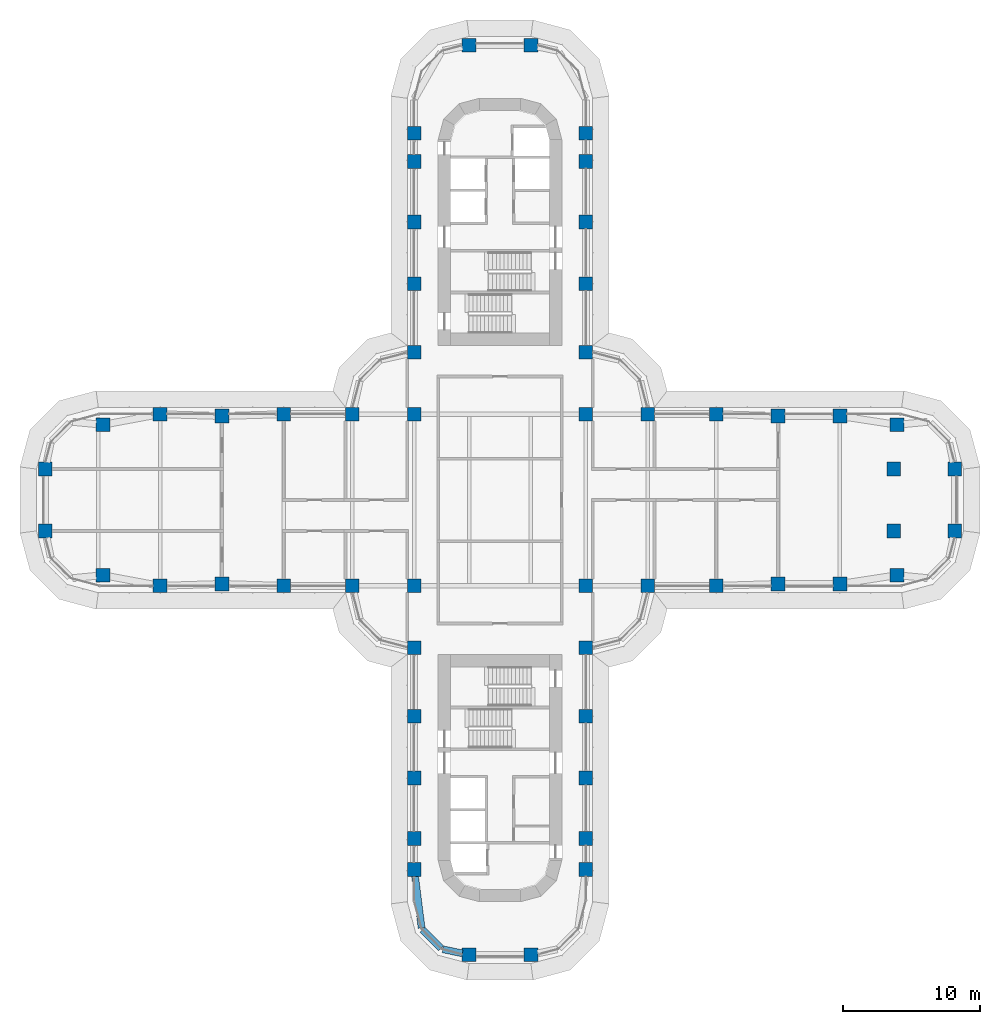
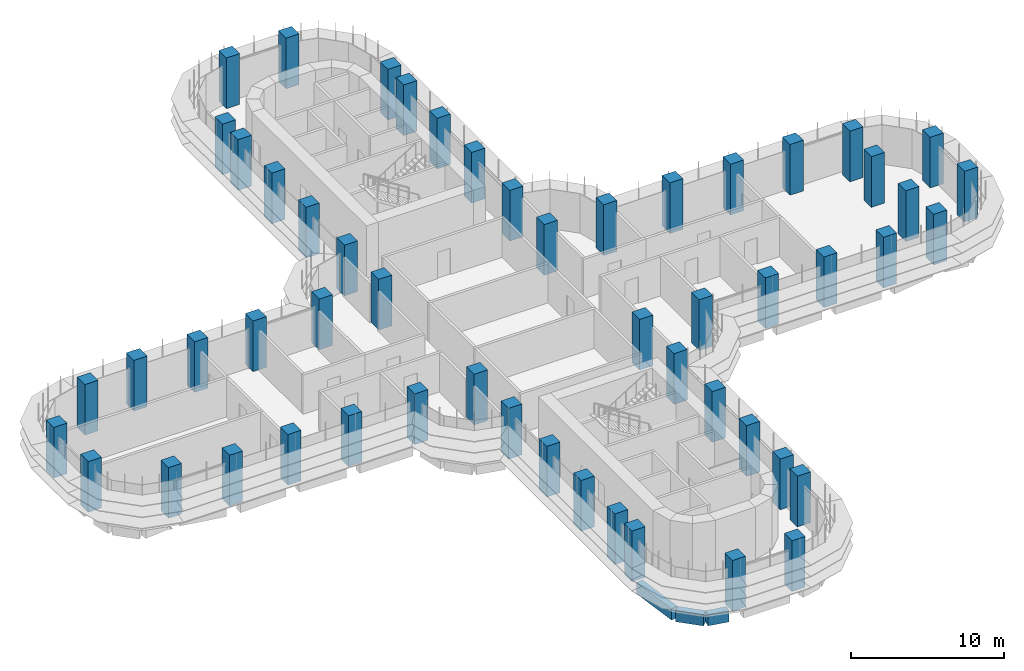
# One storey, part 1 of 23: 54 columns, 3 beams.
"""IFC4 building model written with IfcOpenShell, lengths in metres."""

import ifcopenshell
import ifcopenshell.guid

model = None  # the IFC model being written
_history = None  # IfcOwnerHistory: only IFC2X3 demands one
_inside = {}  # id of a spatial element -> (the spatial element, [elements in it])
_under = {}  # id of a project, library or spatial element -> (it, [spatial elements below it])
_declared = {}  # id of a project -> (the project, [libraries it declares])
_typed = {}  # id of a type object -> (the type object, [elements of that type])
_made_of = {}  # id of a material, layer set ... -> (it, [elements and type objects made of it])


def new_model(schema):
    """Start an empty IFC model of exactly this schema.

    Asked for "IFC4X3", IfcOpenShell would pick the latest addendum, in which some entities
    have other attributes; the version numbers below select the first issue.
    IFC2X3 requires an IfcOwnerHistory on every rooted entity: one is made here for all.
    """
    global model, _history
    if schema == "IFC4X3":
        model = ifcopenshell.file(schema_version=(4, 3, 0, 0))
    else:
        model = ifcopenshell.file(schema=schema)
    _inside.clear()
    _under.clear()
    _declared.clear()
    _typed.clear()
    _made_of.clear()
    _history = None
    if model.schema == "IFC2X3":
        org = make("IfcOrganization", Name="unknown")
        user = make(
            "IfcPersonAndOrganization",
            ThePerson=make("IfcPerson", FamilyName="unknown"),
            TheOrganization=org,
        )
        app = make(
            "IfcApplication",
            ApplicationDeveloper=org,
            Version="unknown",
            ApplicationFullName="unknown",
            ApplicationIdentifier="unknown",
        )
        _history = make(
            "IfcOwnerHistory",
            OwningUser=user,
            OwningApplication=app,
            ChangeAction="ADDED",
            CreationDate=0,
        )
    return model


def make(cls, **values):
    """One entity of the class cls with the attributes given. An attribute that is None is left unset."""
    return model.create_entity(
        cls, **{name: value for name, value in values.items() if value is not None}
    )


def rooted(cls, **values):
    """An entity with a GlobalId (a new one), such as an element, a storey or a relation."""
    return make(cls, GlobalId=ifcopenshell.guid.new(), OwnerHistory=_history, **values)


def si_unit(unit_type, name, prefix=None):
    """IfcSIUnit, for example si_unit("LENGTHUNIT", "METRE", prefix="MILLI")."""
    return make("IfcSIUnit", UnitType=unit_type, Prefix=prefix, Name=name)


def assignment(units):
    """IfcUnitAssignment: the units of a project."""
    return None if units is None else make("IfcUnitAssignment", Units=units)


def point(xyz):
    """IfcCartesianPoint."""
    return None if xyz is None else make("IfcCartesianPoint", Coordinates=xyz)


def direction(xyz):
    """IfcDirection."""
    return None if xyz is None else make("IfcDirection", DirectionRatios=xyz)


def frame(location, z_axis=None, x_axis=None):
    """IfcAxis2Placement3D, a coordinate frame: its origin and axes. An axis left out is left unset."""
    return make(
        "IfcAxis2Placement3D",
        Location=point(location),
        Axis=direction(z_axis),
        RefDirection=direction(x_axis),
    )


def frame_2d(location, x_axis=None):
    """IfcAxis2Placement2D, a coordinate frame in the plane: its origin and x axis."""
    return make(
        "IfcAxis2Placement2D", Location=point(location), RefDirection=direction(x_axis)
    )


def origin():
    """The frame at (0, 0, 0) with its axes left unset."""
    return frame((0.0, 0.0, 0.0))


def origin_2d():
    """The frame at (0, 0) in the plane with its x axis left unset."""
    return frame_2d((0.0, 0.0))


def place(relative_to, where):
    """IfcLocalPlacement: puts the frame where relative to a parent placement (None: the world)."""
    return make(
        "IfcLocalPlacement", PlacementRelTo=relative_to, RelativePlacement=where
    )


def context(
    kind, dimensions, precision=None, world=None, true_north=None, identifier=None
):
    """IfcGeometricRepresentationContext, for example the 3D "Model" context."""
    return make(
        "IfcGeometricRepresentationContext",
        ContextIdentifier=identifier,
        ContextType=kind,
        CoordinateSpaceDimension=dimensions,
        Precision=precision,
        WorldCoordinateSystem=world,
        TrueNorth=true_north,
    )


def subcontext(parent, identifier, kind, view, scale=None):
    """IfcGeometricRepresentationSubContext, for example "Body" below "Model"."""
    return make(
        "IfcGeometricRepresentationSubContext",
        ContextIdentifier=identifier,
        ContextType=kind,
        ParentContext=parent,
        TargetScale=scale,
        TargetView=view,
    )


def project(units=None, contexts=None):
    """IfcProject with its units and contexts."""
    return rooted(
        "IfcProject",
        Name="project",
        RepresentationContexts=contexts,
        UnitsInContext=assignment(units),
    )


def spatial(cls, under=None, at=None, **own):
    """A site, building, storey or space (cls), placed at a placement, below another one or the project."""
    s = rooted(cls, ObjectPlacement=at, **own)
    if under is not None:
        _under.setdefault(under.id(), (under, []))[1].append(s)
    return s


def profile(cls, at=None, kind="AREA", **sizes):
    """A parametric profile (cls). Its sizes go by their IFC names, for example OverallWidth=200.0."""
    return make(cls, ProfileType=kind, Position=at, **sizes)


def rectangle(**sizes):
    """IfcRectangleProfileDef."""
    return profile("IfcRectangleProfileDef", **sizes)


def extrude(swept, where, along, depth):
    """IfcExtrudedAreaSolid: the profile swept, set in the frame where, extruded along a direction by depth."""
    return make(
        "IfcExtrudedAreaSolid",
        SweptArea=swept,
        Position=where,
        ExtrudedDirection=direction(along),
        Depth=depth,
    )


def shape(context_of_items, identifier, shape_type, items):
    """IfcShapeRepresentation: the items that make up one representation, for example the "Body"."""
    return make(
        "IfcShapeRepresentation",
        ContextOfItems=context_of_items,
        RepresentationIdentifier=identifier,
        RepresentationType=shape_type,
        Items=items,
    )


def material(Name=None, Category=None):
    """IfcMaterial."""
    return make("IfcMaterial", Name=Name, Category=Category)


def material_profile(
    of_material, cross_section, Name=None, Category=None, Priority=None
):
    """IfcMaterialProfile: a cross section and its material."""
    return make(
        "IfcMaterialProfile",
        Name=Name,
        Material=of_material,
        Profile=cross_section,
        Priority=Priority,
        Category=Category,
    )


def profile_set(profiles, Name=None, composite=None):
    """IfcMaterialProfileSet."""
    return make(
        "IfcMaterialProfileSet",
        Name=Name,
        MaterialProfiles=profiles,
        CompositeProfile=composite,
    )


def made_of(thing, what):
    """Note that an element or type object is made of a material, layer set ...; save() writes the relation."""
    if what is not None:
        _made_of.setdefault(what.id(), (what, []))[1].append(thing)
    return thing


def type_object(cls, material=None, **own):
    """A type object (cls), such as IfcWallType, which elements share."""
    return made_of(rooted(cls, **own), material)


def element(
    cls,
    number,
    at=None,
    inside=None,
    cuts=None,
    type_object=None,
    material=None,
    context=None,
    identifier="Body",
    shape_type=None,
    held_by="IfcProductDefinitionShape",
    body=None,
    shapes=None,
    **own,
):
    """One element of the class cls, such as IfcWall. Its Tag is "e" and its number.

    at: its placement. inside: the storey or other place that contains it. cuts: it is an
    opening in that element (IfcRelVoidsElement). A single representation is given by context,
    identifier, shape_type and body (its items); several are given by shapes. held_by: the class
    of the entity that holds the representations. save() writes the other relations.
    """
    e = rooted(cls, Tag="e%d" % number, ObjectPlacement=at, **own)
    if body is not None:
        shapes = [shape(context, identifier, shape_type, body)]
    if shapes is not None:
        e.Representation = make(held_by, Representations=shapes)
    if inside is not None:
        _inside.setdefault(inside.id(), (inside, []))[1].append(e)
    if cuts is not None:
        rooted(
            "IfcRelVoidsElement", RelatingBuildingElement=cuts, RelatedOpeningElement=e
        )
    if type_object is not None:
        _typed.setdefault(type_object.id(), (type_object, []))[1].append(e)
    return made_of(e, material)


def aggregate(whole, parts):
    """IfcRelAggregates: a whole, such as a stair, and the parts it consists of."""
    return rooted("IfcRelAggregates", RelatingObject=whole, RelatedObjects=parts)


def save(model, path):
    """Write the relations noted so far, then the file.

    IfcRelAggregates (storeys below a building ...), IfcRelContainedInSpatialStructure (elements
    in a storey), IfcRelDefinesByType, IfcRelAssociatesMaterial and IfcRelDeclares: one each for
    every whole, place, type object, material and project.
    """
    for whole, parts in _under.values():
        aggregate(whole, parts)
    for where, things in _inside.values():
        rooted(
            "IfcRelContainedInSpatialStructure",
            RelatedElements=things,
            RelatingStructure=where,
        )
    for kind, things in _typed.values():
        rooted("IfcRelDefinesByType", RelatedObjects=things, RelatingType=kind)
    for what, things in _made_of.values():
        rooted("IfcRelAssociatesMaterial", RelatedObjects=things, RelatingMaterial=what)
    for by, libraries in _declared.values():
        rooted("IfcRelDeclares", RelatingContext=by, RelatedDefinitions=libraries)
    model.write(path)


model = new_model("IFC4")

# Units and contexts
model_context = context("Model", 3, precision=1e-05, world=origin(), true_north=direction((0.0, 1.0)))
body_context = subcontext(model_context, "Body", "Model", "MODEL_VIEW")
ifc_project = project(units=[si_unit("LENGTHUNIT", "METRE"), si_unit("AREAUNIT", "SQUARE_METRE"), si_unit("VOLUMEUNIT", "CUBIC_METRE"), si_unit("PLANEANGLEUNIT", "RADIAN"), si_unit("MASSUNIT", "GRAM", prefix="KILO")], contexts=[model_context])

# Site, building, storey
site_placement = place(None, origin())
site = spatial("IfcSite", under=ifc_project, at=site_placement, CompositionType="ELEMENT")
building_placement = place(site_placement, origin())
building = spatial("IfcBuilding", under=site, at=building_placement, Name="Zarbagh Exchange Tower", CompositionType="ELEMENT")
storey_placement = place(building_placement, frame((0.0, 0.0, 35.39990234375)))
storey = spatial("IfcBuildingStorey", under=building, at=storey_placement, Name="L07", CompositionType="ELEMENT", Elevation=35.39990234375)

# Columns
ifc_material = material(Name="Concrete C60/75", Category="concrete")
ifc_material_profile_1 = material_profile(ifc_material, rectangle(XDim=1.0, YDim=1.0, at=origin_2d()), Name="RC column 1000 x 1000 C60/75")
ifc_profile_set_1 = profile_set([ifc_material_profile_1], Name="Concrete C60/75")
column_type = type_object("IfcColumnType", Name="RC column 1000 x 1000 C60/75", PredefinedType="COLUMN", material=ifc_profile_set_1)
for number, where, z_axis, x_axis, name in (
    (1, (-33.110107421875, -2.25, 0.0), (0.0, 0.0, 1.0), (1.0, 0.0, 0.0), "C2 10/S"),
    (2, (-33.110107421875, 2.25, 0.0), (0.0, 0.0, 1.0), (1.0, 0.0, 0.0), "C2 10/T"),
    (3, (-28.907958984375, -5.47509765625, 0.0), (0.0, 0.0, 1.0), (1.0, 0.0, 0.0), "C2 11/R"),
    (4, (-28.907958984375, 5.47509765625, 0.0), (0.0, 0.0, 1.0), (1.0, 0.0, 0.0), "C2 11/U"),
    (5, (-24.75, -6.25, 0.0), (0.0, 0.0, 1.0), (1.0, 0.0, 0.0), "C2 12/R"),
    (6, (-24.75, 6.25, 0.0), (0.0, 0.0, 1.0), (1.0, 0.0, 0.0), "C2 12/U"),
    (7, (-20.25, -6.110107421875, 0.0), (0.0, 0.0, 1.0), (1.0, 0.0, 0.0), "C2 13/R"),
    (8, (-20.25, 6.110107421875, 0.0), (0.0, 0.0, 1.0), (1.0, 0.0, 0.0), "C2 13/U"),
    (9, (-15.75, -6.25, 0.0), (0.0, 0.0, 1.0), (1.0, 0.0, 0.0), "C2 14/R"),
    (10, (-15.75, 6.25, 0.0), (0.0, 0.0, 1.0), (1.0, 0.0, 0.0), "C2 14/U"),
    (11, (-10.75, -6.25, 0.0), (0.0, 0.0, 1.0), (1.0, 0.0, 0.0), "C2 15/R"),
    (12, (-10.75, 6.25, 0.0), (0.0, 0.0, 1.0), (1.0, 0.0, 0.0), "C2 15/U"),
    (13, (-6.25, -26.89990234375, 0.0), (0.0, 0.0, 1.0), (1.0, 0.0, 0.0), "C2 16/L"),
    (14, (-6.25, -24.64990234375, 0.0), (0.0, 0.0, 1.0), (1.0, 0.0, 0.0), "C2 16/M"),
    (15, (-6.25, -20.25, 0.0), (0.0, 0.0, 1.0), (1.0, 0.0, 0.0), "C2 16/N"),
    (16, (-6.25, -15.75, 0.0), (0.0, 0.0, 1.0), (1.0, 0.0, 0.0), "C2 16/P"),
    (17, (-6.25, -10.75, 0.0), (0.0, 0.0, 1.0), (1.0, 0.0, 0.0), "C2 16/Q"),
    (18, (-6.25, -6.25, 0.0), (0.0, 0.0, 1.0), (1.0, 0.0, 0.0), "C2 16/R"),
    (19, (-6.25, 6.25, 0.0), (0.0, 0.0, 1.0), (1.0, 0.0, 0.0), "C2 16/U"),
    (20, (-6.25, 10.75, 0.0), (0.0, 0.0, 1.0), (1.0, 0.0, 0.0), "C2 16/V"),
    (21, (-6.25, 15.75, 0.0), (0.0, 0.0, 1.0), (1.0, 0.0, 0.0), "C2 16/W"),
    (22, (-6.25, 20.25, 0.0), (0.0, 0.0, 1.0), (1.0, 0.0, 0.0), "C2 16/X"),
    (23, (-6.25, 24.64990234375, 0.0), (0.0, 0.0, 1.0), (1.0, 0.0, 0.0), "C2 16/Y"),
    (24, (-6.25, 26.699951171875, 0.0), (0.0, 0.0, 1.0), (1.0, 0.0, 0.0), "C2 16/Z"),
    (25, (-2.25, -33.110107421875, 0.0), (0.0, 0.0, 1.0), (1.0, 0.0, 0.0), "C2 17/K"),
    (26, (-2.25, 33.110107421875, 0.0), (0.0, 0.0, 1.0), (1.0, 0.0, 0.0), "C2 17/AA"),
    (27, (2.25, -33.110107421875, 0.0), (0.0, 0.0, 1.0), (1.0, 0.0, 0.0), "C2 18/K"),
    (28, (2.25, 33.110107421875, 0.0), (0.0, 0.0, 1.0), (1.0, 0.0, 0.0), "C2 18/AA"),
    (29, (6.25, -26.89990234375, 0.0), (0.0, 0.0, 1.0), (1.0, 0.0, 0.0), "C2 19/L"),
    (30, (6.25, -24.64990234375, 0.0), (0.0, 0.0, 1.0), (1.0, 0.0, 0.0), "C2 19/M"),
    (31, (6.25, -20.25, 0.0), (0.0, 0.0, 1.0), (1.0, 0.0, 0.0), "C2 19/N"),
    (32, (6.25, -15.75, 0.0), (0.0, 0.0, 1.0), (1.0, 0.0, 0.0), "C2 19/P"),
    (33, (6.25, -10.75, 0.0), (0.0, 0.0, 1.0), (1.0, 0.0, 0.0), "C2 19/Q"),
    (34, (6.25, -6.25, 0.0), (0.0, 0.0, 1.0), (1.0, 0.0, 0.0), "C2 19/R"),
    (35, (6.25, 6.25, 0.0), (0.0, 0.0, 1.0), (1.0, 0.0, 0.0), "C2 19/U"),
    (36, (6.25, 10.75, 0.0), (0.0, 0.0, 1.0), (1.0, 0.0, 0.0), "C2 19/V"),
    (37, (6.25, 15.75, 0.0), (0.0, 0.0, 1.0), (1.0, 0.0, 0.0), "C2 19/W"),
    (38, (6.25, 20.25, 0.0), (0.0, 0.0, 1.0), (1.0, 0.0, 0.0), "C2 19/X"),
    (39, (6.25, 24.64990234375, 0.0), (0.0, 0.0, 1.0), (1.0, 0.0, 0.0), "C2 19/Y"),
    (40, (6.25, 26.699951171875, 0.0), (0.0, 0.0, 1.0), (1.0, 0.0, 0.0), "C2 19/Z"),
    (41, (10.75, -6.25, 0.0), (0.0, 0.0, 1.0), (1.0, 0.0, 0.0), "C2 20/R"),
    (42, (10.75, 6.25, 0.0), (0.0, 0.0, 1.0), (1.0, 0.0, 0.0), "C2 20/U"),
    (43, (15.75, -6.25, 0.0), (0.0, 0.0, 1.0), (1.0, 0.0, 0.0), "C2 21/R"),
    (44, (15.75, 6.25, 0.0), (0.0, 0.0, 1.0), (1.0, 0.0, 0.0), "C2 21/U"),
    (45, (20.25, -6.110107421875, 0.0), (0.0, 0.0, 1.0), (1.0, 0.0, 0.0), "C2 22/R"),
    (46, (20.25, 6.110107421875, 0.0), (0.0, 0.0, 1.0), (1.0, 0.0, 0.0), "C2 22/U"),
    (47, (24.75, -6.110107421875, 0.0), (0.0, 0.0, 1.0), (1.0, 0.0, 0.0), "C2 23/R"),
    (48, (24.75, 6.110107421875, 0.0), (0.0, 0.0, 1.0), (1.0, 0.0, 0.0), "C2 23/U"),
    (49, (28.907958984375, -5.47509765625, 0.0), (0.0, 0.0, 1.0), (1.0, 0.0, 0.0), "C2 24/R"),
    (50, (28.669921875, -2.25, 0.0), (0.0, 0.0, 1.0), (1.0, 0.0, 0.0), "C2 24/S"),
    (51, (28.669921875, 2.25, 0.0), (0.0, 0.0, 1.0), (1.0, 0.0, 0.0), "C2 24/T"),
    (52, (28.907958984375, 5.47509765625, 0.0), (0.0, 0.0, 1.0), (1.0, 0.0, 0.0), "C2 24/U"),
    (53, (33.110107421875, -2.25, 0.0), (0.0, 0.0, 1.0), (1.0, 0.0, 0.0), "C2 25/S"),
    (54, (33.110107421875, 2.25, 0.0), (0.0, 0.0, 1.0), (1.0, 0.0, 0.0), "C2 25/T"),
):
    element("IfcColumn", number, at=place(storey_placement, frame(where, z_axis=z_axis, x_axis=x_axis)), inside=storey, type_object=column_type, Name=name, PredefinedType="COLUMN", context=body_context, shape_type="SweptSolid", body=[
        extrude(rectangle(XDim=1.0, YDim=1.0, at=origin_2d()), origin(), (0.0, 0.0, 1.0), 4.050048828125),
    ])

# Beams
ifc_material_profile_2 = material_profile(ifc_material, rectangle(XDim=0.5, YDim=0.89990234375, at=origin_2d()), Name="RC spandrel beam 500 x 900 C60/75")
ifc_profile_set_2 = profile_set([ifc_material_profile_2], Name="Concrete C60/75")
beam_type = type_object("IfcBeamType", Name="RC spandrel beam 500 x 900 C60/75", PredefinedType="SPANDREL", material=ifc_profile_set_2)
beam_1_placement = place(storey_placement, frame((-2.73974609375, -33.0087890625, -0.599853515625), z_axis=(-0.9793713725, 0.202068589164, 0.0), x_axis=(-0.202068589164, -0.9793713725, 0.0)))
element("IfcBeam", 55, at=beam_1_placement, inside=storey, type_object=beam_type, Name="RC spandrel beam", PredefinedType="SPANDREL", context=body_context, shape_type="SweptSolid", body=[
    extrude(rectangle(XDim=0.5, YDim=0.89990234375, at=origin_2d()), origin(), (0.0, 0.0, 1.0), 1.458251953125),
])
beam_2_placement = place(storey_placement, frame((-4.294189453125, -32.64599609375, -0.599853515625), z_axis=(-0.707042571718, 0.707170984825, 0.0), x_axis=(-0.707170984825, -0.707042571718, 0.0)))
element("IfcBeam", 56, at=beam_2_placement, inside=storey, type_object=beam_type, Name="RC spandrel beam", PredefinedType="SPANDREL", context=body_context, shape_type="SweptSolid", body=[
    extrude(rectangle(XDim=0.5, YDim=0.89990234375, at=origin_2d()), origin(), (0.0, 0.0, 1.0), 1.901123046875),
])
beam_3_placement = place(storey_placement, frame((-5.709716796875, -31.156494140625, -0.599853515625), z_axis=(-0.12591317752, 0.992041265133, 0.0), x_axis=(-0.992041265133, -0.12591317752, 0.0)))
element("IfcBeam", 57, at=beam_3_placement, inside=storey, type_object=beam_type, Name="RC spandrel beam", PredefinedType="SPANDREL", context=body_context, shape_type="SweptSolid", body=[
    extrude(rectangle(XDim=0.5, YDim=0.89990234375, at=origin_2d()), origin(), (0.0, 0.0, 1.0), 3.790771484375),
])

save(model, "model.ifc")
